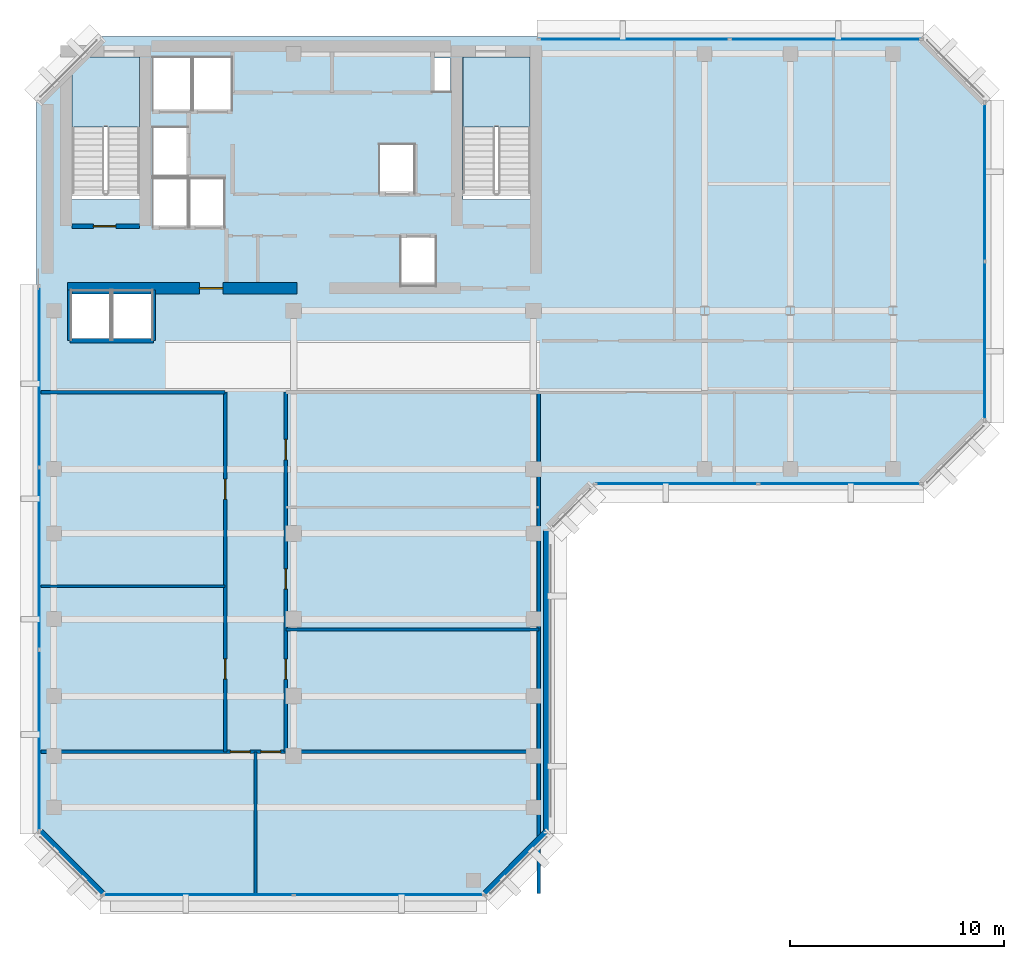
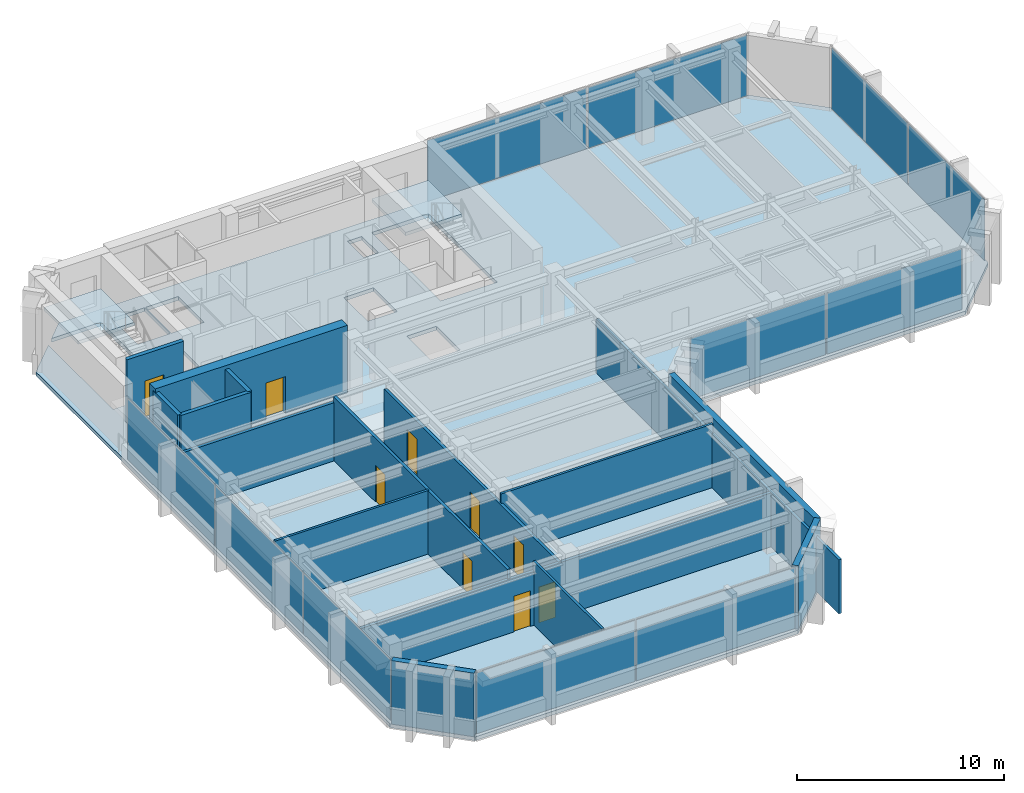
# One storey, part 6 of 11: 16 walls, 11 plates, 9 doors, 3 slabs, 9 openings, 7 elements without a shape of their own.
"""IFC4 building model written with IfcOpenShell, lengths in metres."""

import ifcopenshell
import ifcopenshell.guid

model = None  # the IFC model being written
_history = None  # IfcOwnerHistory: only IFC2X3 demands one
_inside = {}  # id of a spatial element -> (the spatial element, [elements in it])
_under = {}  # id of a project, library or spatial element -> (it, [spatial elements below it])
_declared = {}  # id of a project -> (the project, [libraries it declares])
_typed = {}  # id of a type object -> (the type object, [elements of that type])
_made_of = {}  # id of a material, layer set ... -> (it, [elements and type objects made of it])


def new_model(schema):
    """Start an empty IFC model of exactly this schema.

    Asked for "IFC4X3", IfcOpenShell would pick the latest addendum, in which some entities
    have other attributes; the version numbers below select the first issue.
    IFC2X3 requires an IfcOwnerHistory on every rooted entity: one is made here for all.
    """
    global model, _history
    if schema == "IFC4X3":
        model = ifcopenshell.file(schema_version=(4, 3, 0, 0))
    else:
        model = ifcopenshell.file(schema=schema)
    _inside.clear()
    _under.clear()
    _declared.clear()
    _typed.clear()
    _made_of.clear()
    _history = None
    if model.schema == "IFC2X3":
        org = make("IfcOrganization", Name="unknown")
        user = make(
            "IfcPersonAndOrganization",
            ThePerson=make("IfcPerson", FamilyName="unknown"),
            TheOrganization=org,
        )
        app = make(
            "IfcApplication",
            ApplicationDeveloper=org,
            Version="unknown",
            ApplicationFullName="unknown",
            ApplicationIdentifier="unknown",
        )
        _history = make(
            "IfcOwnerHistory",
            OwningUser=user,
            OwningApplication=app,
            ChangeAction="ADDED",
            CreationDate=0,
        )
    return model


def make(cls, **values):
    """One entity of the class cls with the attributes given. An attribute that is None is left unset."""
    return model.create_entity(
        cls, **{name: value for name, value in values.items() if value is not None}
    )


def rooted(cls, **values):
    """An entity with a GlobalId (a new one), such as an element, a storey or a relation."""
    return make(cls, GlobalId=ifcopenshell.guid.new(), OwnerHistory=_history, **values)


def si_unit(unit_type, name, prefix=None):
    """IfcSIUnit, for example si_unit("LENGTHUNIT", "METRE", prefix="MILLI")."""
    return make("IfcSIUnit", UnitType=unit_type, Prefix=prefix, Name=name)


def assignment(units):
    """IfcUnitAssignment: the units of a project."""
    return None if units is None else make("IfcUnitAssignment", Units=units)


def point(xyz):
    """IfcCartesianPoint."""
    return None if xyz is None else make("IfcCartesianPoint", Coordinates=xyz)


def direction(xyz):
    """IfcDirection."""
    return None if xyz is None else make("IfcDirection", DirectionRatios=xyz)


def frame(location, z_axis=None, x_axis=None):
    """IfcAxis2Placement3D, a coordinate frame: its origin and axes. An axis left out is left unset."""
    return make(
        "IfcAxis2Placement3D",
        Location=point(location),
        Axis=direction(z_axis),
        RefDirection=direction(x_axis),
    )


def frame_2d(location, x_axis=None):
    """IfcAxis2Placement2D, a coordinate frame in the plane: its origin and x axis."""
    return make(
        "IfcAxis2Placement2D", Location=point(location), RefDirection=direction(x_axis)
    )


def origin():
    """The frame at (0, 0, 0) with its axes left unset."""
    return frame((0.0, 0.0, 0.0))


def origin_2d():
    """The frame at (0, 0) in the plane with its x axis left unset."""
    return frame_2d((0.0, 0.0))


def place(relative_to, where):
    """IfcLocalPlacement: puts the frame where relative to a parent placement (None: the world)."""
    return make(
        "IfcLocalPlacement", PlacementRelTo=relative_to, RelativePlacement=where
    )


def context(
    kind, dimensions, precision=None, world=None, true_north=None, identifier=None
):
    """IfcGeometricRepresentationContext, for example the 3D "Model" context."""
    return make(
        "IfcGeometricRepresentationContext",
        ContextIdentifier=identifier,
        ContextType=kind,
        CoordinateSpaceDimension=dimensions,
        Precision=precision,
        WorldCoordinateSystem=world,
        TrueNorth=true_north,
    )


def subcontext(parent, identifier, kind, view, scale=None):
    """IfcGeometricRepresentationSubContext, for example "Body" below "Model"."""
    return make(
        "IfcGeometricRepresentationSubContext",
        ContextIdentifier=identifier,
        ContextType=kind,
        ParentContext=parent,
        TargetScale=scale,
        TargetView=view,
    )


def project(units=None, contexts=None):
    """IfcProject with its units and contexts."""
    return rooted(
        "IfcProject",
        Name="project",
        RepresentationContexts=contexts,
        UnitsInContext=assignment(units),
    )


def spatial(cls, under=None, at=None, **own):
    """A site, building, storey or space (cls), placed at a placement, below another one or the project."""
    s = rooted(cls, ObjectPlacement=at, **own)
    if under is not None:
        _under.setdefault(under.id(), (under, []))[1].append(s)
    return s


def polyline(points):
    """IfcPolyline through the points."""
    return make("IfcPolyline", Points=[point(p) for p in points])


def profile(cls, at=None, kind="AREA", **sizes):
    """A parametric profile (cls). Its sizes go by their IFC names, for example OverallWidth=200.0."""
    return make(cls, ProfileType=kind, Position=at, **sizes)


def rectangle(**sizes):
    """IfcRectangleProfileDef."""
    return profile("IfcRectangleProfileDef", **sizes)


def outline(outer, holes=None, kind="AREA"):
    """IfcArbitraryClosedProfileDef: a profile drawn as a closed curve; with holes, ...WithVoids."""
    if holes is None:
        return make("IfcArbitraryClosedProfileDef", ProfileType=kind, OuterCurve=outer)
    return make(
        "IfcArbitraryProfileDefWithVoids",
        ProfileType=kind,
        OuterCurve=outer,
        InnerCurves=holes,
    )


def extrude(swept, where, along, depth):
    """IfcExtrudedAreaSolid: the profile swept, set in the frame where, extruded along a direction by depth."""
    return make(
        "IfcExtrudedAreaSolid",
        SweptArea=swept,
        Position=where,
        ExtrudedDirection=direction(along),
        Depth=depth,
    )


def shape(context_of_items, identifier, shape_type, items):
    """IfcShapeRepresentation: the items that make up one representation, for example the "Body"."""
    return make(
        "IfcShapeRepresentation",
        ContextOfItems=context_of_items,
        RepresentationIdentifier=identifier,
        RepresentationType=shape_type,
        Items=items,
    )


def material(Name=None, Category=None):
    """IfcMaterial."""
    return make("IfcMaterial", Name=Name, Category=Category)


def layer(
    of_material, thickness, ventilated=None, Name=None, Category=None, Priority=None
):
    """IfcMaterialLayer: one layer of a wall or slab, of a material (None: an air gap)."""
    return make(
        "IfcMaterialLayer",
        Material=of_material,
        LayerThickness=thickness,
        IsVentilated=ventilated,
        Name=Name,
        Category=Category,
        Priority=Priority,
    )


def layer_set(layers, Name=None):
    """IfcMaterialLayerSet."""
    return make("IfcMaterialLayerSet", MaterialLayers=layers, LayerSetName=Name)


def made_of(thing, what):
    """Note that an element or type object is made of a material, layer set ...; save() writes the relation."""
    if what is not None:
        _made_of.setdefault(what.id(), (what, []))[1].append(thing)
    return thing


def type_object(cls, material=None, **own):
    """A type object (cls), such as IfcWallType, which elements share."""
    return made_of(rooted(cls, **own), material)


def element(
    cls,
    number,
    at=None,
    inside=None,
    cuts=None,
    type_object=None,
    material=None,
    context=None,
    identifier="Body",
    shape_type=None,
    held_by="IfcProductDefinitionShape",
    body=None,
    shapes=None,
    **own,
):
    """One element of the class cls, such as IfcWall. Its Tag is "e" and its number.

    at: its placement. inside: the storey or other place that contains it. cuts: it is an
    opening in that element (IfcRelVoidsElement). A single representation is given by context,
    identifier, shape_type and body (its items); several are given by shapes. held_by: the class
    of the entity that holds the representations. save() writes the other relations.
    """
    e = rooted(cls, Tag="e%d" % number, ObjectPlacement=at, **own)
    if body is not None:
        shapes = [shape(context, identifier, shape_type, body)]
    if shapes is not None:
        e.Representation = make(held_by, Representations=shapes)
    if inside is not None:
        _inside.setdefault(inside.id(), (inside, []))[1].append(e)
    if cuts is not None:
        rooted(
            "IfcRelVoidsElement", RelatingBuildingElement=cuts, RelatedOpeningElement=e
        )
    if type_object is not None:
        _typed.setdefault(type_object.id(), (type_object, []))[1].append(e)
    return made_of(e, material)


def fill(opening, filler):
    """IfcRelFillsElement: the door or window that sits in an opening."""
    return rooted(
        "IfcRelFillsElement",
        RelatingOpeningElement=opening,
        RelatedBuildingElement=filler,
    )


def aggregate(whole, parts):
    """IfcRelAggregates: a whole, such as a stair, and the parts it consists of."""
    return rooted("IfcRelAggregates", RelatingObject=whole, RelatedObjects=parts)


def save(model, path):
    """Write the relations noted so far, then the file.

    IfcRelAggregates (storeys below a building ...), IfcRelContainedInSpatialStructure (elements
    in a storey), IfcRelDefinesByType, IfcRelAssociatesMaterial and IfcRelDeclares: one each for
    every whole, place, type object, material and project.
    """
    for whole, parts in _under.values():
        aggregate(whole, parts)
    for where, things in _inside.values():
        rooted(
            "IfcRelContainedInSpatialStructure",
            RelatedElements=things,
            RelatingStructure=where,
        )
    for kind, things in _typed.values():
        rooted("IfcRelDefinesByType", RelatedObjects=things, RelatingType=kind)
    for what, things in _made_of.values():
        rooted("IfcRelAssociatesMaterial", RelatedObjects=things, RelatingMaterial=what)
    for by, libraries in _declared.values():
        rooted("IfcRelDeclares", RelatingContext=by, RelatedDefinitions=libraries)
    model.write(path)


model = new_model("IFC4")

# Units and contexts
model_context = context("Model", 3, precision=1e-05, world=origin(), true_north=direction((0.0, 1.0)))
body_context = subcontext(model_context, "Body", "Model", "MODEL_VIEW")
ifc_project = project(units=[si_unit("LENGTHUNIT", "METRE"), si_unit("AREAUNIT", "SQUARE_METRE"), si_unit("VOLUMEUNIT", "CUBIC_METRE"), si_unit("PLANEANGLEUNIT", "RADIAN"), si_unit("MASSUNIT", "GRAM", prefix="KILO")], contexts=[model_context])

# Site, building, storey
site_placement = place(None, origin())
site = spatial("IfcSite", under=ifc_project, at=site_placement, CompositionType="ELEMENT")
building_placement = place(site_placement, origin())
building = spatial("IfcBuilding", under=site, at=building_placement, Name="Kefirva Bronze Tower", CompositionType="ELEMENT")
storey_placement = place(building_placement, frame((0.0, 0.0, 307.889892578125)))
storey = spatial("IfcBuildingStorey", under=building, at=storey_placement, Name="L75", CompositionType="ELEMENT", Elevation=307.889892578125)

# Stair, slab
ifc_material_1 = material(Name="Concrete C40/50", Category="concrete")
stair_type = type_object("IfcStairType", Name="RC Dogleg Protected Stair 24R", PredefinedType="HALF_TURN_STAIR", material=ifc_material_1)
stair_1_placement = place(storey_placement, origin())
stair_1 = element("IfcStair", 1, at=stair_1_placement, inside=storey, type_object=stair_type, Name="L75 Protected Exit Stair 1", PredefinedType="HALF_TURN_STAIR")
ifc_layer_1 = layer(ifc_material_1, 0.199951171875, Name="Concrete C40/50")
ifc_layer_set_1 = layer_set([ifc_layer_1], Name="Concrete C40/50")
slab_type_1 = type_object("IfcSlabType", Name="RC Stair Landing Slab 200mm", PredefinedType="LANDING", material=ifc_layer_set_1)
slab_1_placement = place(storey_placement, frame((0.0, 0.0, 1.780029296875)))
slab_1 = element("IfcSlab", 2, at=slab_1_placement, type_object=slab_type_1, Name="ST-1 landing 1", PredefinedType="LANDING", context=body_context, shape_type="SweptSolid", body=[
    extrude(outline(polyline([(4.800048828125, 41.780029296875), (4.800048828125, 45.050048828125), (1.64990234375, 45.050048828125), (1.64990234375, 41.780029296875), (4.800048828125, 41.780029296875)])), origin(), (0.0, 0.0, 1.0), 0.2001953125),
])
aggregate(stair_1, [slab_1])

stair_2_placement = place(storey_placement, origin())
stair_2 = element("IfcStair", 3, at=stair_2_placement, inside=storey, type_object=stair_type, Name="L75 Protected Exit Stair 2", PredefinedType="HALF_TURN_STAIR")
slab_2_placement = place(storey_placement, frame((0.0, 0.0, 1.780029296875)))
slab_2 = element("IfcSlab", 4, at=slab_2_placement, type_object=slab_type_1, Name="ST-2 landing 1", PredefinedType="LANDING", context=body_context, shape_type="SweptSolid", body=[
    extrude(outline(polyline([(23.050048828125, 41.780029296875), (23.050048828125, 45.050048828125), (19.89990234375, 45.050048828125), (19.89990234375, 41.780029296875), (23.050048828125, 41.780029296875)])), origin(), (0.0, 0.0, 1.0), 0.2001953125),
])
aggregate(stair_2, [slab_2])

# Slab
ifc_layer_2 = layer(ifc_material_1, 0.219970703125, Name="Concrete C40/50")
ifc_layer_set_2 = layer_set([ifc_layer_2], Name="Concrete C40/50")
slab_type_2 = type_object("IfcSlabType", Name="RC Upper Floor Slab 220mm", PredefinedType="FLOOR", material=ifc_layer_set_2)
slab_3_placement = place(storey_placement, frame((0.0, 0.0, -0.219970703125)))
element("IfcSlab", 5, at=slab_3_placement, inside=storey, type_object=slab_type_2, Name="L75 Structural Floor Slab", PredefinedType="FLOOR", context=body_context, shape_type="SweptSolid", body=[
    extrude(outline(polyline([(0.0, 8.800048828125), (0.0, 43.0), (1.64990234375, 44.64990234375), (1.64990234375, 38.39990234375), (4.800048828125, 38.39990234375), (4.800048828125, 45.050048828125), (2.050048828125, 45.050048828125), (3.0, 46.0), (41.39990234375, 46.0), (44.39990234375, 43.0), (44.39990234375, 28.0), (41.39990234375, 25.0), (26.0, 25.0), (24.0, 23.0), (24.0, 8.800048828125), (21.0, 5.800048828125), (3.0, 5.800048828125), (0.0, 8.800048828125)]), holes=[polyline([(23.050048828125, 45.050048828125), (19.89990234375, 45.050048828125), (19.89990234375, 38.39990234375), (23.050048828125, 38.39990234375), (23.050048828125, 45.050048828125)]), polyline([(19.320068359375, 43.419921875), (19.320068359375, 45.0), (18.52001953125, 45.0), (18.52001953125, 43.419921875), (19.320068359375, 43.419921875)]), polyline([(18.64990234375, 36.64990234375), (17.0, 36.64990234375), (17.0, 34.35009765625), (18.64990234375, 34.35009765625), (18.64990234375, 36.64990234375)]), polyline([(17.64990234375, 38.679931640625), (17.64990234375, 40.97998046875), (16.0, 40.97998046875), (16.0, 38.679931640625), (17.64990234375, 38.679931640625)]), polyline([(9.1201171875, 42.550048828125), (9.1201171875, 45.050048828125), (7.300048828125, 45.050048828125), (7.300048828125, 42.550048828125), (9.1201171875, 42.550048828125)]), polyline([(8.780029296875, 37.10009765625), (8.780029296875, 39.39990234375), (7.139892578125, 39.39990234375), (7.139892578125, 37.10009765625), (8.780029296875, 37.10009765625)]), polyline([(7.239990234375, 42.550048828125), (7.239990234375, 45.050048828125), (5.419921875, 45.050048828125), (5.419921875, 42.550048828125), (7.239990234375, 42.550048828125)]), polyline([(7.06005859375, 37.10009765625), (7.06005859375, 39.39990234375), (5.419921875, 39.39990234375), (5.419921875, 37.10009765625), (7.06005859375, 37.10009765625)]), polyline([(7.06005859375, 41.780029296875), (5.419921875, 41.780029296875), (5.419921875, 39.47998046875), (7.06005859375, 39.47998046875), (7.06005859375, 41.780029296875)]), polyline([(5.39990234375, 31.85009765625), (5.39990234375, 34.14990234375), (3.550048828125, 34.14990234375), (3.550048828125, 31.85009765625), (5.39990234375, 31.85009765625)]), polyline([(3.449951171875, 34.14990234375), (1.60009765625, 34.14990234375), (1.60009765625, 31.85009765625), (3.449951171875, 31.85009765625), (3.449951171875, 34.14990234375)])]), origin(), (0.0, 0.0, 1.0), 0.219970703125),
])

# Curtain wall, plates
ifc_material_2 = material(Name="Bronze anodised aluminium", Category="aluminium")
ifc_layer_3 = layer(ifc_material_2, 0.179931640625, Name="Bronze anodised aluminium")
ifc_layer_set_3 = layer_set([ifc_layer_3], Name="Bronze anodised aluminium")
curtain_wall_type = type_object("IfcCurtainWallType", Name="Unitised Bronze Ribbon Curtain Wall Zone 4", PredefinedType="USERDEFINED", material=ifc_layer_set_3)
curtain_wall_1_placement = place(storey_placement, origin())
curtain_wall_1 = element("IfcCurtainWall", 6, at=curtain_wall_1_placement, inside=storey, type_object=curtain_wall_type, Name="L75 Curtain Wall 1", ObjectType="UNITISED CURTAIN WALL", PredefinedType="USERDEFINED")
ifc_material_3 = material(Name="Laminated low-E double glazing", Category="glass")
ifc_layer_4 = layer(ifc_material_3, 0.031982421875, Name="Laminated low-E double glazing")
ifc_layer_set_4 = layer_set([ifc_layer_4], Name="Laminated low-E double glazing")
plate_type = type_object("IfcPlateType", Name="Solar-Control Low-E Vision Panel 32mm", PredefinedType="CURTAIN_PANEL", material=ifc_layer_set_4)
plate_1_placement = place(storey_placement, frame((7.546142578125, 5.919921875, 0.0751953125), z_axis=(0.0, 0.0, 1.0), x_axis=(1.0, 0.0, 0.0)))
plate_1 = element("IfcPlate", 7, at=plate_1_placement, type_object=plate_type, Name="CW-04 panel 1.1", PredefinedType="CURTAIN_PANEL", context=body_context, shape_type="SweptSolid", body=[
    extrude(rectangle(XDim=8.83251953125, YDim=0.031982421875, at=origin_2d()), origin(), (0.0, 0.0, 1.0), 3.590087890625),
])
plate_2_placement = place(storey_placement, frame((16.453857421875, 5.919921875, 0.0751953125), z_axis=(0.0, 0.0, 1.0), x_axis=(1.0, 0.0, 0.0)))
plate_2 = element("IfcPlate", 8, at=plate_2_placement, type_object=plate_type, Name="CW-04 panel 2.1", PredefinedType="CURTAIN_PANEL", context=body_context, shape_type="SweptSolid", body=[
    extrude(rectangle(XDim=8.83251953125, YDim=0.031982421875, at=origin_2d()), origin(), (0.0, 0.0, 1.0), 3.590087890625),
])
aggregate(curtain_wall_1, [plate_1, plate_2])

curtain_wall_2_placement = place(storey_placement, origin())
curtain_wall_2 = element("IfcCurtainWall", 9, at=curtain_wall_2_placement, inside=storey, type_object=curtain_wall_type, Name="L75 Curtain Wall 2", ObjectType="UNITISED CURTAIN WALL", PredefinedType="USERDEFINED")
plate_3_placement = place(storey_placement, frame((29.896240234375, 25.1201171875, 0.0751953125), z_axis=(0.0, 0.0, 1.0), x_axis=(1.0, 0.0, 0.0)))
plate_3 = element("IfcPlate", 10, at=plate_3_placement, type_object=plate_type, Name="CW-04 panel 1.1", PredefinedType="CURTAIN_PANEL", context=body_context, shape_type="SweptSolid", body=[
    extrude(rectangle(XDim=7.532470703125, YDim=0.031982421875, at=origin_2d()), origin(), (0.0, 0.0, 1.0), 3.590087890625),
])
plate_4_placement = place(storey_placement, frame((37.503662109375, 25.1201171875, 0.0751953125), z_axis=(0.0, 0.0, 1.0), x_axis=(1.0, 0.0, 0.0)))
plate_4 = element("IfcPlate", 11, at=plate_4_placement, type_object=plate_type, Name="CW-04 panel 2.1", PredefinedType="CURTAIN_PANEL", context=body_context, shape_type="SweptSolid", body=[
    extrude(rectangle(XDim=7.532470703125, YDim=0.031982421875, at=origin_2d()), origin(), (0.0, 0.0, 1.0), 3.590087890625),
])
aggregate(curtain_wall_2, [plate_3, plate_4])

curtain_wall_3_placement = place(storey_placement, origin())
curtain_wall_3 = element("IfcCurtainWall", 12, at=curtain_wall_3_placement, inside=storey, type_object=curtain_wall_type, Name="L75 Curtain Wall 3", ObjectType="UNITISED CURTAIN WALL", PredefinedType="USERDEFINED")
plate_5_placement = place(storey_placement, frame((44.280029296875, 31.796142578125, 0.0751953125), z_axis=(0.0, 0.0, 1.0), x_axis=(0.0, 1.0, 0.0)))
plate_5 = element("IfcPlate", 13, at=plate_5_placement, type_object=plate_type, Name="CW-04 panel 1.1", PredefinedType="CURTAIN_PANEL", context=body_context, shape_type="SweptSolid", body=[
    extrude(rectangle(XDim=7.33251953125, YDim=0.031982421875, at=origin_2d()), origin(), (0.0, 0.0, 1.0), 3.590087890625),
])
plate_6_placement = place(storey_placement, frame((44.280029296875, 39.203857421875, 0.0751953125), z_axis=(0.0, 0.0, 1.0), x_axis=(0.0, 1.0, 0.0)))
plate_6 = element("IfcPlate", 14, at=plate_6_placement, type_object=plate_type, Name="CW-04 panel 2.1", PredefinedType="CURTAIN_PANEL", context=body_context, shape_type="SweptSolid", body=[
    extrude(rectangle(XDim=7.33251953125, YDim=0.031982421875, at=origin_2d()), origin(), (0.0, 0.0, 1.0), 3.590087890625),
])
aggregate(curtain_wall_3, [plate_5, plate_6])

curtain_wall_4_placement = place(storey_placement, origin())
curtain_wall_4 = element("IfcCurtainWall", 15, at=curtain_wall_4_placement, inside=storey, type_object=curtain_wall_type, Name="L75 Curtain Wall 4", ObjectType="UNITISED CURTAIN WALL", PredefinedType="USERDEFINED")
plate_7_placement = place(storey_placement, frame((36.84130859375, 45.8798828125, 0.0751953125), z_axis=(0.0, 0.0, 1.0), x_axis=(-1.0, 0.0, 0.0)))
plate_7 = element("IfcPlate", 16, at=plate_7_placement, type_object=plate_type, Name="CW-04 panel 1.1", PredefinedType="CURTAIN_PANEL", context=body_context, shape_type="SweptSolid", body=[
    extrude(rectangle(XDim=8.857421875, YDim=0.031982421875, at=origin_2d()), origin(), (0.0, 0.0, 1.0), 3.590087890625),
])
plate_8_placement = place(storey_placement, frame((27.90869140625, 45.8798828125, 0.0751953125), z_axis=(0.0, 0.0, 1.0), x_axis=(-1.0, 0.0, 0.0)))
plate_8 = element("IfcPlate", 17, at=plate_8_placement, type_object=plate_type, Name="CW-04 panel 2.1", PredefinedType="CURTAIN_PANEL", context=body_context, shape_type="SweptSolid", body=[
    extrude(rectangle(XDim=8.857421875, YDim=0.031982421875, at=origin_2d()), origin(), (0.0, 0.0, 1.0), 3.590087890625),
])
aggregate(curtain_wall_4, [plate_7, plate_8])

curtain_wall_5_placement = place(storey_placement, origin())
curtain_wall_5 = element("IfcCurtainWall", 18, at=curtain_wall_5_placement, inside=storey, type_object=curtain_wall_type, Name="L75 Curtain Wall 5", ObjectType="UNITISED CURTAIN WALL", PredefinedType="USERDEFINED")
plate_9_placement = place(storey_placement, frame((0.1201171875, 30.11962890625, 0.0751953125), z_axis=(0.0, 0.0, 1.0), x_axis=(0.0, -1.0, 0.0)))
plate_9 = element("IfcPlate", 19, at=plate_9_placement, type_object=plate_type, Name="CW-04 panel 1.1", PredefinedType="CURTAIN_PANEL", context=body_context, shape_type="SweptSolid", body=[
    extrude(rectangle(XDim=8.40087890625, YDim=0.031982421875, at=origin_2d()), origin(), (0.0, 0.0, 1.0), 3.590087890625),
])
plate_10_placement = place(storey_placement, frame((0.1201171875, 21.625, 0.0751953125), z_axis=(0.0, 0.0, 1.0), x_axis=(0.0, -1.0, 0.0)))
plate_10 = element("IfcPlate", 20, at=plate_10_placement, type_object=plate_type, Name="CW-04 panel 2.1", PredefinedType="CURTAIN_PANEL", context=body_context, shape_type="SweptSolid", body=[
    extrude(rectangle(XDim=8.438232421875, YDim=0.031982421875, at=origin_2d()), origin(), (0.0, 0.0, 1.0), 3.590087890625),
])
plate_11_placement = place(storey_placement, frame((0.1201171875, 13.13037109375, 0.0751953125), z_axis=(0.0, 0.0, 1.0), x_axis=(0.0, -1.0, 0.0)))
plate_11 = element("IfcPlate", 21, at=plate_11_placement, type_object=plate_type, Name="CW-04 panel 3.1", PredefinedType="CURTAIN_PANEL", context=body_context, shape_type="SweptSolid", body=[
    extrude(rectangle(XDim=8.40087890625, YDim=0.031982421875, at=origin_2d()), origin(), (0.0, 0.0, 1.0), 3.590087890625),
])
aggregate(curtain_wall_5, [plate_9, plate_10, plate_11])

# Walls
ifc_material_4 = material(Name="Gypsum acoustic partition")
ifc_layer_5 = layer(ifc_material_4, 0.1298828125, Name="Gypsum acoustic partition")
ifc_layer_set_5 = layer_set([ifc_layer_5], Name="Gypsum acoustic partition")
wall_type_1 = type_object("IfcWallType", Name="Acoustic Office Partition 130mm", PredefinedType="PARTITIONING", material=ifc_layer_set_5)
wall_1_placement = place(storey_placement, frame((10.219970703125, 5.989990234375, 0.0), z_axis=(0.0, 0.0, 1.0), x_axis=(0.0, 1.0, 0.0)))
element("IfcWall", 22, at=wall_1_placement, inside=storey, type_object=wall_type_1, Name="L75 Partition W-L75-CAPDV", PredefinedType="PARTITIONING", context=body_context, shape_type="SweptSolid", body=[
    extrude(rectangle(XDim=6.610107421875, YDim=0.1298828125, at=frame_2d((3.30517578125, 0.0))), origin(), (0.0, 0.0, 1.0), 3.739990234375),
])
wall_2_placement = place(storey_placement, frame((0.18994140625, 20.327880859375, 0.0), z_axis=(0.0, 0.0, 1.0), x_axis=(1.0, 0.0, 0.0)))
element("IfcWall", 23, at=wall_2_placement, inside=storey, type_object=wall_type_1, Name="L75 Partition W-L75-SWD1", PredefinedType="PARTITIONING", context=body_context, shape_type="SweptSolid", body=[
    extrude(rectangle(XDim=8.610107421875, YDim=0.1298828125, at=frame_2d((4.30517578125, 0.0))), origin(), (0.0, 0.0, 1.0), 3.739990234375),
])
wall_3_placement = place(storey_placement, frame((11.639892578125, 18.31201171875, 0.0), z_axis=(0.0, 0.0, 1.0), x_axis=(1.0, 0.0, 0.0)))
element("IfcWall", 24, at=wall_3_placement, inside=storey, type_object=wall_type_1, Name="L75 Partition W-L75-SED1", PredefinedType="PARTITIONING", context=body_context, shape_type="SweptSolid", body=[
    extrude(rectangle(XDim=11.81005859375, YDim=0.1298828125, at=frame_2d((5.905029296875, 0.0))), origin(), (0.0, 0.0, 1.0), 3.739990234375),
])

# Wall, opening, door
ifc_material_5 = material(Name="Gypsum fireboard shaftwall")
ifc_layer_6 = layer(ifc_material_5, 0.219970703125, Name="Gypsum fireboard shaftwall")
ifc_layer_set_6 = layer_set([ifc_layer_6], Name="Gypsum fireboard shaftwall")
wall_type_2 = type_object("IfcWallType", Name="Fire-Rated Shaft Enclosure Wall 220mm", PredefinedType="PARTITIONING", material=ifc_layer_set_6)
wall_4_placement = place(storey_placement, frame((1.64990234375, 37.14990234375, 0.0), z_axis=(0.0, 0.0, 1.0), x_axis=(1.0, 0.0, 0.0)))
wall_4 = element("IfcWall", 25, at=wall_4_placement, inside=storey, type_object=wall_type_2, Name="L75 Partition W-L75-ST1S", PredefinedType="PARTITIONING", context=body_context, shape_type="SweptSolid", body=[
    extrude(rectangle(XDim=3.150146484375, YDim=0.219970703125, at=frame_2d((1.5751953125, 0.0))), origin(), (0.0, 0.0, 1.0), 3.739990234375),
])
opening_1_placement = place(wall_4_placement, frame((2.050048828125, 0.0, 0.0), z_axis=(0.0, 0.0, 1.0), x_axis=(-1.0, 0.0, 0.0)))
opening_1 = element("IfcOpeningElement", 26, at=opening_1_placement, cuts=wall_4, Name="Opening L75-D001", PredefinedType="OPENING", context=body_context, shape_type="SweptSolid", body=[
    extrude(rectangle(XDim=1.050048828125, YDim=2.14990234375, at=frame_2d((0.52490234375, 1.074951171875))), frame((0.0, 0.1201171875, 0.0), z_axis=(0.0, -1.0, 0.0), x_axis=(1.0, 0.0, 0.0)), (0.0, 0.0, 1.0), 0.239990234375),
])
ifc_material_6 = material(Name="Painted galvanized steel", Category="steel")
door_type_1 = type_object("IfcDoorType", Name="Fire Stair Enclosure Door 1050x2150 FD90S", OperationType="NOTDEFINED", PredefinedType="DOOR", material=ifc_material_6)
door_1_placement = place(opening_1_placement, origin())
door_1 = element("IfcDoor", 27, at=door_1_placement, inside=storey, type_object=door_type_1, Name="Door L75-D001", OperationType="SINGLE_SWING_LEFT", OverallHeight=2.14990234375, OverallWidth=1.050048828125, PredefinedType="DOOR", context=body_context, shape_type="SweptSolid", body=[
    extrude(rectangle(XDim=1.050048828125, YDim=2.14990234375, at=frame_2d((0.52490234375, 1.074951171875))), frame((0.0, 0.02490234375, 0.0), z_axis=(0.0, -1.0, 0.0), x_axis=(1.0, 0.0, 0.0)), (0.0, 0.0, 1.0), 0.050048828125),
])
fill(opening_1, door_1)

# Walls
wall_5_placement = place(storey_placement, frame((1.550048828125, 31.800048828125, 0.0), z_axis=(0.0, 0.0, 1.0), x_axis=(1.0, 0.0, 0.0)))
element("IfcWall", 28, at=wall_5_placement, inside=storey, type_object=wall_type_2, Name="L75 Partition W-L75-OBS", PredefinedType="PARTITIONING", context=body_context, shape_type="SweptSolid", body=[
    extrude(rectangle(XDim=3.89990234375, YDim=0.219970703125, at=frame_2d((1.949951171875, 0.0))), origin(), (0.0, 0.0, 1.0), 3.739990234375),
])
for number, where, z_axis, x_axis, name in (
    (29, (1.550048828125, 31.800048828125, 0.0), (0.0, 0.0, 1.0), (0.0, 1.0, 0.0), "L75 Partition W-L75-OBW"),
    (30, (5.449951171875, 31.800048828125, 0.0), (0.0, 0.0, 1.0), (0.0, 1.0, 0.0), "L75 Partition W-L75-OBE"),
):
    element("IfcWall", number, at=place(storey_placement, frame(where, z_axis=z_axis, x_axis=x_axis)), inside=storey, type_object=wall_type_2, Name=name, PredefinedType="PARTITIONING", context=body_context, shape_type="SweptSolid", body=[
        extrude(rectangle(XDim=2.3798828125, YDim=0.219970703125, at=frame_2d((1.18994140625, 0.0))), origin(), (0.0, 0.0, 1.0), 3.739990234375),
    ])
ifc_material_7 = material(Name="Precast concrete C40/50", Category="concrete")
ifc_layer_7 = layer(ifc_material_7, 0.320068359375, Name="Precast concrete C40/50")
ifc_layer_set_7 = layer_set([ifc_layer_7], Name="Precast concrete C40/50")
wall_type_3 = type_object("IfcWallType", Name="Precast Insulated Exterior Wall 320mm", PredefinedType="SOLIDWALL", material=ifc_layer_set_7)
wall_6_placement = place(storey_placement, frame((20.92578125, 5.951904296875, 0.0), z_axis=(0.0, 0.0, 1.0), x_axis=(0.707077242712, 0.707136318428, 0.0)))
element("IfcWall", 31, at=wall_6_placement, inside=storey, type_object=wall_type_3, Name="L75 Exterior Facade Wall 1", PredefinedType="SOLIDWALL", context=body_context, shape_type="SweptSolid", body=[
    extrude(rectangle(XDim=4.132568359375, YDim=0.320068359375, at=frame_2d((2.06640625, 0.0))), origin(), (0.0, 0.0, 1.0), 3.739990234375),
])
wall_7_placement = place(storey_placement, frame((23.840087890625, 8.85498046875, 0.0), z_axis=(0.0, 0.0, 1.0), x_axis=(0.0, 1.0, 0.0)))
element("IfcWall", 32, at=wall_7_placement, inside=storey, type_object=wall_type_3, Name="L75 Exterior Facade Wall 2", PredefinedType="SOLIDWALL", context=body_context, shape_type="SweptSolid", body=[
    extrude(rectangle(XDim=14.090087890625, YDim=0.320068359375, at=frame_2d((7.044921875, 0.0))), origin(), (0.0, 0.0, 1.0), 3.739990234375),
])
wall_8_placement = place(storey_placement, frame((0.152099609375, 8.874267578125, 0.0), z_axis=(0.0, 0.0, 1.0), x_axis=(0.707077242712, -0.707136318428, 0.0)))
element("IfcWall", 33, at=wall_8_placement, inside=storey, type_object=wall_type_3, Name="L75 Exterior Facade Wall 7", PredefinedType="SOLIDWALL", context=body_context, shape_type="SweptSolid", body=[
    extrude(rectangle(XDim=4.132568359375, YDim=0.320068359375, at=frame_2d((2.06640625, 0.0))), origin(), (0.0, 0.0, 1.0), 3.739990234375),
])

# Wall, openings, doors
ifc_layer_8 = layer(ifc_material_4, 0.159912109375, Name="Gypsum acoustic partition")
ifc_layer_set_8 = layer_set([ifc_layer_8], Name="Gypsum acoustic partition")
wall_type_4 = type_object("IfcWallType", Name="Protected Corridor Partition 160mm", PredefinedType="PARTITIONING", material=ifc_layer_set_8)
wall_9_placement = place(storey_placement, frame((8.800048828125, 12.60009765625, 0.0), z_axis=(0.0, 0.0, 1.0), x_axis=(0.0, 1.0, 0.0)))
wall_9 = element("IfcWall", 34, at=wall_9_placement, inside=storey, type_object=wall_type_4, Name="L75 Partition W-L75-SWCORW", PredefinedType="PARTITIONING", context=body_context, shape_type="SweptSolid", body=[
    extrude(rectangle(XDim=16.7998046875, YDim=0.159912109375, at=frame_2d((8.39990234375, 0.0))), origin(), (0.0, 0.0, 1.0), 3.739990234375),
])
opening_2_placement = place(wall_9_placement, frame((4.3388671875, 0.0, 0.0), z_axis=(0.0, 0.0, 1.0), x_axis=(-1.0, 0.0, 0.0)))
opening_2 = element("IfcOpeningElement", 35, at=opening_2_placement, cuts=wall_9, Name="Opening L75-D-SW1", PredefinedType="OPENING", context=body_context, shape_type="SweptSolid", body=[
    extrude(rectangle(XDim=0.949951171875, YDim=2.14990234375, at=frame_2d((0.47509765625, 1.074951171875))), frame((0.0, 0.08984375, 0.0), z_axis=(0.0, -1.0, 0.0), x_axis=(1.0, 0.0, 0.0)), (0.0, 0.0, 1.0), 0.179931640625),
])
opening_3_placement = place(wall_9_placement, frame((12.739013671875, 0.0, 0.0), z_axis=(0.0, 0.0, 1.0), x_axis=(-1.0, 0.0, 0.0)))
opening_3 = element("IfcOpeningElement", 36, at=opening_3_placement, cuts=wall_9, Name="Opening L75-D-SW2", PredefinedType="OPENING", context=body_context, shape_type="SweptSolid", body=[
    extrude(rectangle(XDim=0.949951171875, YDim=2.14990234375, at=frame_2d((0.47509765625, 1.074951171875))), frame((0.0, 0.08984375, 0.0), z_axis=(0.0, -1.0, 0.0), x_axis=(1.0, 0.0, 0.0)), (0.0, 0.0, 1.0), 0.179931640625),
])
ifc_material_8 = material(Name="Acoustic hardwood oak", Category="wood")
door_type_2 = type_object("IfcDoorType", Name="Office & Meeting Room Door 950x2150", OperationType="NOTDEFINED", PredefinedType="DOOR", material=ifc_material_8)
door_2_placement = place(opening_2_placement, origin())
door_2 = element("IfcDoor", 37, at=door_2_placement, inside=storey, type_object=door_type_2, Name="Door L75-D-SW1", OperationType="SINGLE_SWING_LEFT", OverallHeight=2.14990234375, OverallWidth=0.949951171875, PredefinedType="DOOR", context=body_context, shape_type="SweptSolid", body=[
    extrude(rectangle(XDim=0.949951171875, YDim=2.14990234375, at=frame_2d((0.47509765625, 1.074951171875))), frame((0.0, 0.02490234375, 0.0), z_axis=(0.0, -1.0, 0.0), x_axis=(1.0, 0.0, 0.0)), (0.0, 0.0, 1.0), 0.050048828125),
])
fill(opening_2, door_2)
door_3_placement = place(opening_3_placement, origin())
door_3 = element("IfcDoor", 38, at=door_3_placement, inside=storey, type_object=door_type_2, Name="Door L75-D-SW2", OperationType="SINGLE_SWING_RIGHT", OverallHeight=2.14990234375, OverallWidth=0.949951171875, PredefinedType="DOOR", context=body_context, shape_type="SweptSolid", body=[
    extrude(rectangle(XDim=0.949951171875, YDim=2.14990234375, at=frame_2d((0.47509765625, 1.074951171875))), frame((0.0, 0.02490234375, 0.0), z_axis=(0.0, -1.0, 0.0), x_axis=(1.0, 0.0, 0.0)), (0.0, 0.0, 1.0), 0.050048828125),
])
fill(opening_3, door_3)

wall_10_placement = place(storey_placement, frame((11.639892578125, 12.60009765625, 0.0), z_axis=(0.0, 0.0, 1.0), x_axis=(0.0, 1.0, 0.0)))
wall_10 = element("IfcWall", 39, at=wall_10_placement, inside=storey, type_object=wall_type_4, Name="L75 Partition W-L75-SECORE", PredefinedType="PARTITIONING", context=body_context, shape_type="SweptSolid", body=[
    extrude(rectangle(XDim=16.7998046875, YDim=0.159912109375, at=frame_2d((8.39990234375, 0.0))), origin(), (0.0, 0.0, 1.0), 3.175048828125),
])
opening_4_placement = place(wall_10_placement, frame((3.381103515625, 0.0, 0.0)))
opening_4 = element("IfcOpeningElement", 40, at=opening_4_placement, cuts=wall_10, Name="Opening L75-D-SE1", PredefinedType="OPENING", context=body_context, shape_type="SweptSolid", body=[
    extrude(rectangle(XDim=0.949951171875, YDim=2.14990234375, at=frame_2d((0.47509765625, 1.074951171875))), frame((0.0, 0.08984375, 0.0), z_axis=(0.0, -1.0, 0.0), x_axis=(1.0, 0.0, 0.0)), (0.0, 0.0, 1.0), 0.179931640625),
])
opening_5_placement = place(wall_10_placement, frame((7.593017578125, 0.0, 0.0)))
opening_5 = element("IfcOpeningElement", 41, at=opening_5_placement, cuts=wall_10, Name="Opening L75-D-SE2", PredefinedType="OPENING", context=body_context, shape_type="SweptSolid", body=[
    extrude(rectangle(XDim=0.949951171875, YDim=2.14990234375, at=frame_2d((0.47509765625, 1.074951171875))), frame((0.0, 0.08984375, 0.0), z_axis=(0.0, -1.0, 0.0), x_axis=(1.0, 0.0, 0.0)), (0.0, 0.0, 1.0), 0.179931640625),
])
opening_6_placement = place(wall_10_placement, frame((13.636962890625, 0.0, 0.0)))
opening_6 = element("IfcOpeningElement", 42, at=opening_6_placement, cuts=wall_10, Name="Opening L75-D-SE3", PredefinedType="OPENING", context=body_context, shape_type="SweptSolid", body=[
    extrude(rectangle(XDim=0.949951171875, YDim=2.14990234375, at=frame_2d((0.47509765625, 1.074951171875))), frame((0.0, 0.08984375, 0.0), z_axis=(0.0, -1.0, 0.0), x_axis=(1.0, 0.0, 0.0)), (0.0, 0.0, 1.0), 0.179931640625),
])
door_4_placement = place(opening_4_placement, origin())
door_4 = element("IfcDoor", 43, at=door_4_placement, inside=storey, type_object=door_type_2, Name="Door L75-D-SE1", OperationType="SINGLE_SWING_LEFT", OverallHeight=2.14990234375, OverallWidth=0.949951171875, PredefinedType="DOOR", context=body_context, shape_type="SweptSolid", body=[
    extrude(rectangle(XDim=0.949951171875, YDim=2.14990234375, at=frame_2d((0.47509765625, 1.074951171875))), frame((0.0, 0.02490234375, 0.0), z_axis=(0.0, -1.0, 0.0), x_axis=(1.0, 0.0, 0.0)), (0.0, 0.0, 1.0), 0.050048828125),
])
fill(opening_4, door_4)
door_5_placement = place(opening_5_placement, origin())
door_5 = element("IfcDoor", 44, at=door_5_placement, inside=storey, type_object=door_type_2, Name="Door L75-D-SE2", OperationType="SINGLE_SWING_RIGHT", OverallHeight=2.14990234375, OverallWidth=0.949951171875, PredefinedType="DOOR", context=body_context, shape_type="SweptSolid", body=[
    extrude(rectangle(XDim=0.949951171875, YDim=2.14990234375, at=frame_2d((0.47509765625, 1.074951171875))), frame((0.0, 0.02490234375, 0.0), z_axis=(0.0, -1.0, 0.0), x_axis=(1.0, 0.0, 0.0)), (0.0, 0.0, 1.0), 0.050048828125),
])
fill(opening_5, door_5)
door_6_placement = place(opening_6_placement, origin())
door_6 = element("IfcDoor", 45, at=door_6_placement, inside=storey, type_object=door_type_2, Name="Door L75-D-SE3", OperationType="SINGLE_SWING_LEFT", OverallHeight=2.14990234375, OverallWidth=0.949951171875, PredefinedType="DOOR", context=body_context, shape_type="SweptSolid", body=[
    extrude(rectangle(XDim=0.949951171875, YDim=2.14990234375, at=frame_2d((0.47509765625, 1.074951171875))), frame((0.0, 0.02490234375, 0.0), z_axis=(0.0, -1.0, 0.0), x_axis=(1.0, 0.0, 0.0)), (0.0, 0.0, 1.0), 0.050048828125),
])
fill(opening_6, door_6)

wall_11_placement = place(storey_placement, frame((0.18994140625, 12.60009765625, 0.0), z_axis=(0.0, 0.0, 1.0), x_axis=(1.0, 0.0, 0.0)))
wall_11 = element("IfcWall", 46, at=wall_11_placement, inside=storey, type_object=wall_type_4, Name="L75 Partition W-L75-SBEND", PredefinedType="PARTITIONING", context=body_context, shape_type="SweptSolid", body=[
    extrude(rectangle(XDim=23.260009765625, YDim=0.159912109375, at=frame_2d((11.6298828125, 0.0))), origin(), (0.0, 0.0, 1.0), 3.175048828125),
])
opening_7_placement = place(wall_11_placement, frame((8.860107421875, 0.0, 0.0)))
opening_7 = element("IfcOpeningElement", 47, at=opening_7_placement, cuts=wall_11, Name="Opening L75-D-SEND1", PredefinedType="OPENING", context=body_context, shape_type="SweptSolid", body=[
    extrude(rectangle(XDim=0.919921875, YDim=2.10009765625, at=frame_2d((0.4599609375, 1.050048828125))), frame((0.0, 0.08984375, 0.0), z_axis=(0.0, -1.0, 0.0), x_axis=(1.0, 0.0, 0.0)), (0.0, 0.0, 1.0), 0.179931640625),
])
opening_8_placement = place(wall_11_placement, frame((10.280029296875, 0.0, 0.0)))
opening_8 = element("IfcOpeningElement", 48, at=opening_8_placement, cuts=wall_11, Name="Opening L75-D-SEND2", PredefinedType="OPENING", context=body_context, shape_type="SweptSolid", body=[
    extrude(rectangle(XDim=0.919921875, YDim=2.10009765625, at=frame_2d((0.4599609375, 1.050048828125))), frame((0.0, 0.08984375, 0.0), z_axis=(0.0, -1.0, 0.0), x_axis=(1.0, 0.0, 0.0)), (0.0, 0.0, 1.0), 0.179931640625),
])
ifc_material_9 = material(Name="Moisture-resistant timber", Category="wood")
door_type_3 = type_object("IfcDoorType", Name="Accessible Sanitary & WC Door 920x2100", OperationType="NOTDEFINED", PredefinedType="DOOR", material=ifc_material_9)
door_7_placement = place(opening_7_placement, origin())
door_7 = element("IfcDoor", 49, at=door_7_placement, inside=storey, type_object=door_type_3, Name="Door L75-D-SEND1", OperationType="SINGLE_SWING_LEFT", OverallHeight=2.10009765625, OverallWidth=0.919921875, PredefinedType="DOOR", context=body_context, shape_type="SweptSolid", body=[
    extrude(rectangle(XDim=0.919921875, YDim=2.10009765625, at=frame_2d((0.4599609375, 1.050048828125))), frame((0.0, 0.02490234375, 0.0), z_axis=(0.0, -1.0, 0.0), x_axis=(1.0, 0.0, 0.0)), (0.0, 0.0, 1.0), 0.050048828125),
])
fill(opening_7, door_7)
door_8_placement = place(opening_8_placement, origin())
door_8 = element("IfcDoor", 50, at=door_8_placement, inside=storey, type_object=door_type_3, Name="Door L75-D-SEND2", OperationType="SINGLE_SWING_RIGHT", OverallHeight=2.10009765625, OverallWidth=0.919921875, PredefinedType="DOOR", context=body_context, shape_type="SweptSolid", body=[
    extrude(rectangle(XDim=0.919921875, YDim=2.10009765625, at=frame_2d((0.4599609375, 1.050048828125))), frame((0.0, 0.02490234375, 0.0), z_axis=(0.0, -1.0, 0.0), x_axis=(1.0, 0.0, 0.0)), (0.0, 0.0, 1.0), 0.050048828125),
])
fill(opening_8, door_8)

# Walls
wall_12_placement = place(storey_placement, frame((0.18994140625, 29.39990234375, 0.0), z_axis=(0.0, 0.0, 1.0), x_axis=(1.0, 0.0, 0.0)))
element("IfcWall", 51, at=wall_12_placement, inside=storey, type_object=wall_type_4, Name="L75 Partition W-L75-NWT", PredefinedType="PARTITIONING", context=body_context, shape_type="SweptSolid", body=[
    extrude(rectangle(XDim=8.610107421875, YDim=0.159912109375, at=frame_2d((4.30517578125, 0.0))), origin(), (0.0, 0.0, 1.0), 3.425048828125),
])
wall_13_placement = place(storey_placement, frame((23.449951171875, 5.989990234375, 0.0), z_axis=(0.0, 0.0, 1.0), x_axis=(0.0, 1.0, 0.0)))
element("IfcWall", 52, at=wall_13_placement, inside=storey, type_object=wall_type_4, Name="L75 Partition W-L75-SWEAST", PredefinedType="PARTITIONING", context=body_context, shape_type="SweptSolid", body=[
    extrude(rectangle(XDim=23.409912109375, YDim=0.159912109375, at=frame_2d((11.705078125, 0.0))), origin(), (0.0, 0.0, 1.0), 3.175048828125),
])

# Wall, opening, door
ifc_material_10 = material(Name="Concrete C50/60", Category="concrete")
ifc_layer_9 = layer(ifc_material_10, 0.550048828125, Name="Concrete C50/60")
ifc_layer_set_9 = layer_set([ifc_layer_9], Name="Concrete C50/60")
wall_type_5 = type_object("IfcWallType", Name="RC Rear Core Interior Wall 550mm", PredefinedType="SHEAR", material=ifc_layer_set_9)
wall_14_placement = place(storey_placement, frame((1.449951171875, 34.25, 0.0), z_axis=(0.0, 0.0, 1.0), x_axis=(1.0, 0.0, 0.0)))
wall_14 = element("IfcWall", 53, at=wall_14_placement, inside=storey, type_object=wall_type_5, Name="L75 Rear Core South-West Shear Wall", PredefinedType="SHEAR", context=body_context, shape_type="SweptSolid", body=[
    extrude(rectangle(XDim=10.7099609375, YDim=0.550048828125, at=frame_2d((5.35498046875, 0.0))), origin(), (0.0, 0.0, 1.0), 3.960205078125),
])
opening_9_placement = place(wall_14_placement, frame((7.25, 0.0, 0.0), z_axis=(0.0, 0.0, 1.0), x_axis=(-1.0, 0.0, 0.0)))
opening_9 = element("IfcOpeningElement", 54, at=opening_9_placement, cuts=wall_14, Name="Opening L75-D002", PredefinedType="OPENING", context=body_context, shape_type="SweptSolid", body=[
    extrude(rectangle(XDim=1.10009765625, YDim=2.14990234375, at=frame_2d((0.550048828125, 1.074951171875))), frame((0.0, 0.28515625, 0.0), z_axis=(0.0, -1.0, 0.0), x_axis=(1.0, 0.0, 0.0)), (0.0, 0.0, 1.0), 0.570068359375),
])
door_type_4 = type_object("IfcDoorType", Name="Firefighting Lobby Smoke Door 1100x2150 FD60S", OperationType="NOTDEFINED", PredefinedType="DOOR", material=ifc_material_6)
door_9_placement = place(opening_9_placement, origin())
door_9 = element("IfcDoor", 55, at=door_9_placement, inside=storey, type_object=door_type_4, Name="Door L75-D002", OperationType="SINGLE_SWING_RIGHT", OverallHeight=2.14990234375, OverallWidth=1.10009765625, PredefinedType="DOOR", context=body_context, shape_type="SweptSolid", body=[
    extrude(rectangle(XDim=1.10009765625, YDim=2.14990234375, at=frame_2d((0.550048828125, 1.074951171875))), frame((0.0, 0.02490234375, 0.0), z_axis=(0.0, -1.0, 0.0), x_axis=(1.0, 0.0, 0.0)), (0.0, 0.0, 1.0), 0.050048828125),
])
fill(opening_9, door_9)

save(model, "model.ifc")
